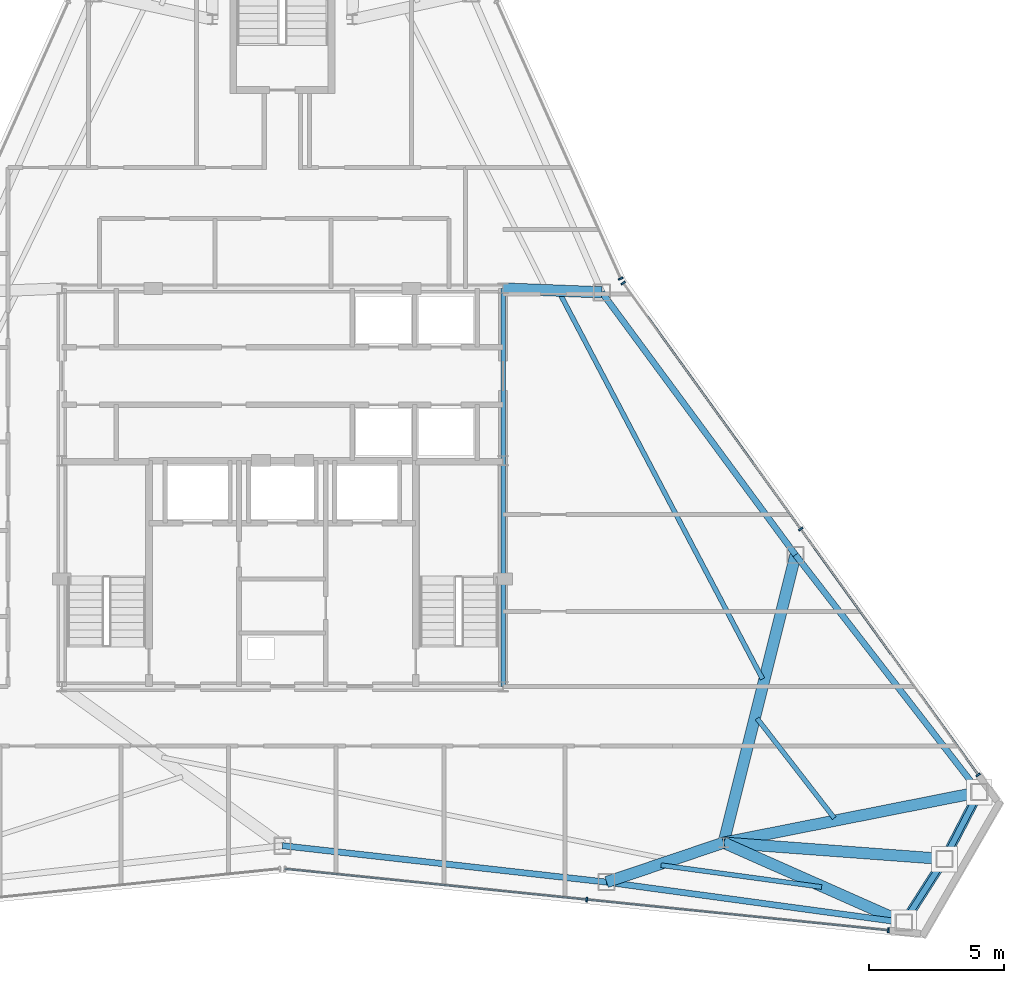
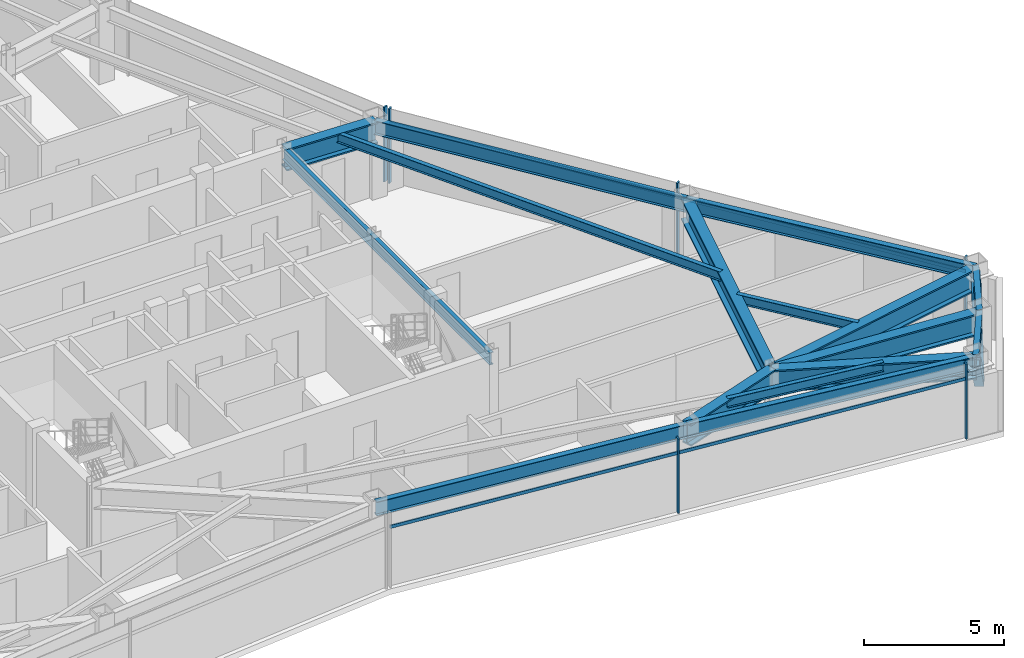
# One storey, part 6 of 12: 16 beams, 10 members, 3 elements without a shape of their own.
"""IFC4 building model written with IfcOpenShell, lengths in metres."""

from ifc_helpers import new_model, si_unit, direction, frame, origin, origin_2d, place, context, subcontext, project, spatial, rectangle, hollow_rectangle, i_section, extrude, source, transform, mapped, material, layer, layer_set, material_profile, profile_set, type_object, type_shapes, element, aggregate, save


model = new_model("IFC4")

# Units and contexts
model_context = context("Model", 3, precision=1e-05, world=origin(), true_north=direction((0.0, 1.0)))
body_context = subcontext(model_context, "Body", "Model", "MODEL_VIEW")
ifc_project = project(units=[si_unit("LENGTHUNIT", "METRE"), si_unit("AREAUNIT", "SQUARE_METRE"), si_unit("VOLUMEUNIT", "CUBIC_METRE"), si_unit("PLANEANGLEUNIT", "RADIAN"), si_unit("MASSUNIT", "GRAM", prefix="KILO")], contexts=[model_context])

# Site, building, storey
site_placement = place(None, origin())
site = spatial("IfcSite", under=ifc_project, at=site_placement, CompositionType="ELEMENT")
building_placement = place(site_placement, origin())
building = spatial("IfcBuilding", under=site, at=building_placement, Name="Varakhsha Concourse Tower", CompositionType="ELEMENT")
storey_placement = place(building_placement, frame((0.0, 0.0, 258.5)))
storey = spatial("IfcBuildingStorey", under=building, at=storey_placement, Name="L73", CompositionType="ELEMENT", Elevation=258.5)

# Beams
ifc_material_1 = material(Name="Structural Steel ASTM A992 Grade 50", Category="steel")
ifc_material_profile_1 = material_profile(ifc_material_1, i_section(OverallWidth=0.177978515625, OverallDepth=0.406982421875, WebThickness=0.008056640625, FlangeThickness=0.012939453125, at=origin_2d()), Name="W16X40")
ifc_profile_set_1 = profile_set([ifc_material_profile_1], Name="Structural Steel ASTM A992 Grade 50")
beam_type_1 = type_object("IfcBeamType", Name="BM-JST-W16X40", PredefinedType="JOIST", material=ifc_profile_set_1)
beam_1_placement = place(storey_placement, frame((54.072998046875, 9.76416015625, 3.04638671875), z_axis=(0.990864658208, -0.134860035274, 0.0), x_axis=(0.134860035274, 0.990864658208, 0.0)))
element("IfcBeam", 1, at=beam_1_placement, inside=storey, type_object=beam_type_1, Name="BM-TJST-L73-12", PredefinedType="JOIST", context=body_context, shape_type="SweptSolid", body=[
    extrude(i_section(OverallWidth=0.177978515625, OverallDepth=0.406982421875, WebThickness=0.008056640625, FlangeThickness=0.012939453125, at=origin_2d()), origin(), (0.0, 0.0, 1.0), 6.024658203125),
])
beam_2_placement = place(storey_placement, frame((60.5126953125, 11.51416015625, 3.04638671875), z_axis=(-0.612247787834, 0.79066595114, 0.0), x_axis=(-0.79066595114, -0.612247787834, 0.0)))
element("IfcBeam", 2, at=beam_2_placement, inside=storey, type_object=beam_type_1, Name="BM-TJST-L73-15", PredefinedType="JOIST", context=body_context, shape_type="SweptSolid", body=[
    extrude(i_section(OverallWidth=0.177978515625, OverallDepth=0.406982421875, WebThickness=0.008056640625, FlangeThickness=0.012939453125, at=origin_2d()), origin(), (0.0, 0.0, 1.0), 4.6865234375),
])
beam_3_placement = place(storey_placement, frame((57.845703125, 16.687744140625, 3.04638671875), z_axis=(-0.465391617433, 0.88510487651, 0.0), x_axis=(-0.88510487651, -0.465391617433, 0.0)))
element("IfcBeam", 3, at=beam_3_placement, inside=storey, type_object=beam_type_1, Name="BM-TJST-L73-16", PredefinedType="JOIST", context=body_context, shape_type="SweptSolid", body=[
    extrude(i_section(OverallWidth=0.177978515625, OverallDepth=0.406982421875, WebThickness=0.008056640625, FlangeThickness=0.012939453125, at=origin_2d()), origin(), (0.0, 0.0, 1.0), 16.194580078125),
])
ifc_material_profile_2 = material_profile(ifc_material_1, i_section(OverallWidth=0.423095703125, OverallDepth=0.947998046875, WebThickness=0.0380859375, FlangeThickness=0.06396484375, at=origin_2d()), Name="W36X302")
ifc_profile_set_2 = profile_set([ifc_material_profile_2], Name="Structural Steel ASTM A992 Grade 50")
beam_type_2 = type_object("IfcBeamType", Name="BM-OUTR-W36X302", PredefinedType="USERDEFINED", material=ifc_profile_set_2)
beam_4_placement = place(storey_placement, frame((56.39990234375, 10.60009765625, 2.77587890625), z_axis=(-0.947603418082, -0.319449154075, 0.0), x_axis=(0.319449154075, -0.947603418082, 0.0)))
element("IfcBeam", 4, at=beam_4_placement, inside=storey, type_object=beam_type_2, Name="L73 Radial Floor Girder 12", ObjectType="GIRDER", PredefinedType="USERDEFINED", context=body_context, shape_type="SweptSolid", body=[
    extrude(i_section(OverallWidth=0.423095703125, OverallDepth=0.947998046875, WebThickness=0.0380859375, FlangeThickness=0.06396484375, at=origin_2d()), origin(), (0.0, 0.0, 1.0), 4.590087890625),
])
beam_5_placement = place(storey_placement, frame((56.39990234375, 10.60009765625, 2.77587890625), z_axis=(0.914187563748, -0.405291374556, 0.0), x_axis=(0.405291374556, 0.914187563748, 0.0)))
element("IfcBeam", 5, at=beam_5_placement, inside=storey, type_object=beam_type_2, Name="L73 Radial Floor Girder 13", ObjectType="GIRDER", PredefinedType="USERDEFINED", context=body_context, shape_type="SweptSolid", body=[
    extrude(i_section(OverallWidth=0.423095703125, OverallDepth=0.947998046875, WebThickness=0.0380859375, FlangeThickness=0.06396484375, at=origin_2d()), origin(), (0.0, 0.0, 1.0), 7.32861328125),
])
beam_6_placement = place(storey_placement, frame((56.39990234375, 10.60009765625, 2.77587890625), z_axis=(0.997263302263, -0.073931765569, 0.0), x_axis=(0.073931765569, 0.997263302263, 0.0)))
element("IfcBeam", 6, at=beam_6_placement, inside=storey, type_object=beam_type_2, Name="L73 Radial Floor Girder 14", ObjectType="GIRDER", PredefinedType="USERDEFINED", context=body_context, shape_type="SweptSolid", body=[
    extrude(i_section(OverallWidth=0.423095703125, OverallDepth=0.947998046875, WebThickness=0.0380859375, FlangeThickness=0.06396484375, at=origin_2d()), origin(), (0.0, 0.0, 1.0), 8.232421875),
])
beam_7_placement = place(storey_placement, frame((56.39990234375, 10.60009765625, 2.77587890625), z_axis=(0.980978125566, 0.194118307125, 0.0), x_axis=(-0.194118307125, 0.980978125566, 0.0)))
element("IfcBeam", 7, at=beam_7_placement, inside=storey, type_object=beam_type_2, Name="L73 Radial Floor Girder 15", ObjectType="GIRDER", PredefinedType="USERDEFINED", context=body_context, shape_type="SweptSolid", body=[
    extrude(i_section(OverallWidth=0.423095703125, OverallDepth=0.947998046875, WebThickness=0.0380859375, FlangeThickness=0.06396484375, at=origin_2d()), origin(), (0.0, 0.0, 1.0), 9.684326171875),
])
beam_8_placement = place(storey_placement, frame((56.39990234375, 10.60009765625, 2.77587890625), z_axis=(0.242410585861, 0.970173751378, 0.0), x_axis=(-0.970173751378, 0.242410585861, 0.0)))
element("IfcBeam", 8, at=beam_8_placement, inside=storey, type_object=beam_type_2, Name="L73 Radial Floor Girder 16", ObjectType="GIRDER", PredefinedType="USERDEFINED", context=body_context, shape_type="SweptSolid", body=[
    extrude(i_section(OverallWidth=0.423095703125, OverallDepth=0.947998046875, WebThickness=0.0380859375, FlangeThickness=0.06396484375, at=origin_2d()), origin(), (0.0, 0.0, 1.0), 11.026123046875),
])
beam_9_placement = place(storey_placement, frame((48.199951171875, 31.199951171875, 2.77587890625), z_axis=(0.999229859365, -0.039238860258, 0.0), x_axis=(0.039238860258, 0.999229859365, 0.0)))
element("IfcBeam", 9, at=beam_9_placement, inside=storey, type_object=beam_type_2, Name="L73 Radial Floor Girder 17", ObjectType="GIRDER", PredefinedType="USERDEFINED", context=body_context, shape_type="SweptSolid", body=[
    extrude(i_section(OverallWidth=0.423095703125, OverallDepth=0.947998046875, WebThickness=0.0380859375, FlangeThickness=0.06396484375, at=origin_2d()), origin(), (0.0, 0.0, 1.0), 3.67724609375),
])
ifc_material_profile_3 = material_profile(ifc_material_1, i_section(OverallWidth=0.1669921875, OverallDepth=0.534912109375, WebThickness=0.010009765625, FlangeThickness=0.01708984375, at=origin_2d()), Name="W21X57")
ifc_profile_set_3 = profile_set([ifc_material_profile_3], Name="Structural Steel ASTM A992 Grade 50")
beam_type_3 = type_object("IfcBeamType", Name="BM-RAD-W21X57", PredefinedType="BEAM", material=ifc_profile_set_3)
beam_10_placement = place(storey_placement, frame((48.199951171875, 16.39990234375, 2.982421875), z_axis=(0.0, 1.0, 0.0), x_axis=(-1.0, 0.0, 0.0)))
element("IfcBeam", 10, at=beam_10_placement, inside=storey, type_object=beam_type_3, Name="BM-TCORE-L73-CE", PredefinedType="BEAM", context=body_context, shape_type="SweptSolid", body=[
    extrude(i_section(OverallWidth=0.1669921875, OverallDepth=0.534912109375, WebThickness=0.010009765625, FlangeThickness=0.01708984375, at=origin_2d()), origin(), (0.0, 0.0, 1.0), 14.800048828125),
])
ifc_material_profile_4 = material_profile(ifc_material_1, i_section(OverallWidth=0.22900390625, OverallDepth=0.612060546875, WebThickness=0.011962890625, FlangeThickness=0.02001953125, at=origin_2d()), Name="W24X84")
ifc_profile_set_4 = profile_set([ifc_material_profile_4], Name="Structural Steel ASTM A992 Grade 50")
beam_type_4 = type_object("IfcBeamType", Name="BM-SPAN-W24X84", PredefinedType="SPANDREL", material=ifc_profile_set_4)
beam_11_placement = place(storey_placement, frame((40.0, 10.48876953125, 2.944091796875), z_axis=(0.993737521425, -0.11173960136, 0.0), x_axis=(0.11173960136, 0.993737521425, 0.0)))
element("IfcBeam", 11, at=beam_11_placement, inside=storey, type_object=beam_type_4, Name="BM-SPAN-L73-11", PredefinedType="SPANDREL", context=body_context, shape_type="SweptSolid", body=[
    extrude(i_section(OverallWidth=0.22900390625, OverallDepth=0.612060546875, WebThickness=0.011962890625, FlangeThickness=0.02001953125, at=origin_2d()), origin(), (0.0, 0.0, 1.0), 12.126220703125),
])
beam_12_placement = place(storey_placement, frame((52.05029296875, 9.1337890625, 2.944091796875), z_axis=(0.990863976686, -0.134865042565, 0.0), x_axis=(0.134865042565, 0.990863976686, 0.0)))
element("IfcBeam", 12, at=beam_12_placement, inside=storey, type_object=beam_type_4, Name="BM-SPAN-L73-12", PredefinedType="SPANDREL", context=body_context, shape_type="SweptSolid", body=[
    extrude(i_section(OverallWidth=0.22900390625, OverallDepth=0.612060546875, WebThickness=0.011962890625, FlangeThickness=0.02001953125, at=origin_2d()), origin(), (0.0, 0.0, 1.0), 11.151123046875),
])
beam_13_placement = place(storey_placement, frame((63.099609375, 7.6298828125, 2.944091796875), z_axis=(0.538762033455, 0.842457993794, 0.0), x_axis=(-0.842457993794, 0.538762033455, 0.0)))
element("IfcBeam", 13, at=beam_13_placement, inside=storey, type_object=beam_type_4, Name="BM-SPAN-L73-13", PredefinedType="SPANDREL", context=body_context, shape_type="SweptSolid", body=[
    extrude(i_section(OverallWidth=0.22900390625, OverallDepth=0.612060546875, WebThickness=0.011962890625, FlangeThickness=0.02001953125, at=origin_2d()), origin(), (0.0, 0.0, 1.0), 2.80322265625),
])
beam_14_placement = place(storey_placement, frame((64.60986328125, 9.991455078125, 2.944091796875), z_axis=(0.460230722474, 0.887799347877, 0.0), x_axis=(-0.887799347877, 0.460230722474, 0.0)))
element("IfcBeam", 14, at=beam_14_placement, inside=storey, type_object=beam_type_4, Name="BM-SPAN-L73-14", PredefinedType="SPANDREL", context=body_context, shape_type="SweptSolid", body=[
    extrude(i_section(OverallWidth=0.22900390625, OverallDepth=0.612060546875, WebThickness=0.011962890625, FlangeThickness=0.02001953125, at=origin_2d()), origin(), (0.0, 0.0, 1.0), 2.802978515625),
])
beam_15_placement = place(storey_placement, frame((65.89990234375, 12.47998046875, 2.944091796875), z_axis=(-0.612217348488, 0.790689520741, 0.0), x_axis=(-0.790689520741, -0.612217348488, 0.0)))
element("IfcBeam", 15, at=beam_15_placement, inside=storey, type_object=beam_type_4, Name="BM-SPAN-L73-15", PredefinedType="SPANDREL", context=body_context, shape_type="SweptSolid", body=[
    extrude(i_section(OverallWidth=0.22900390625, OverallDepth=0.612060546875, WebThickness=0.011962890625, FlangeThickness=0.02001953125, at=origin_2d()), origin(), (0.0, 0.0, 1.0), 11.151611328125),
])
beam_16_placement = place(storey_placement, frame((59.07275390625, 21.29736328125, 2.944091796875), z_axis=(-0.593635055484, 0.804734379097, 0.0), x_axis=(-0.804734379097, -0.593635055484, 0.0)))
element("IfcBeam", 16, at=beam_16_placement, inside=storey, type_object=beam_type_4, Name="BM-SPAN-L73-16", PredefinedType="SPANDREL", context=body_context, shape_type="SweptSolid", body=[
    extrude(i_section(OverallWidth=0.22900390625, OverallDepth=0.612060546875, WebThickness=0.011962890625, FlangeThickness=0.02001953125, at=origin_2d()), origin(), (0.0, 0.0, 1.0), 12.126220703125),
])

# Members
ifc_material_2 = material(Name="Structural Steel ASTM A500 Grade C", Category="steel")
ifc_material_profile_5 = material_profile(ifc_material_2, hollow_rectangle(XDim=0.35009765625, YDim=0.35009765625, WallThickness=0.01611328125, at=origin_2d()), Name="HSS 350x350x16")
ifc_profile_set_5 = profile_set([ifc_material_profile_5], Name="Structural Steel ASTM A500 Grade C")
member_type_1 = type_object("IfcMemberType", Name="MB-TUBE-HSS350", PredefinedType="BRACE", material=ifc_profile_set_5)
shared_shape_1 = source(origin(), body_context, "Body", "SweptSolid", [
    extrude(hollow_rectangle(XDim=0.35009765625, YDim=0.35009765625, WallThickness=0.01611328125, at=origin_2d()), origin(), (0.0, 0.0, 1.0), 3.983154296875),
])
type_shapes(member_type_1, [shared_shape_1])
for number, where, z_axis, x_axis, name in (
    (17, (64.60986328125, 9.991455078125, 0.1201171875), (-0.37915630707, -0.592883763061, 0.710443057752), (0.842457993794, -0.538762033455, 0.0), "L73 Wind-Corner Tube Brace B05"),
    (18, (64.60986328125, 9.991455078125, 0.1201171875), (0.323879843478, 0.624774270359, 0.710463903436), (-0.887799347877, 0.460230722474, 0.0), "L73 Wind-Corner Tube Brace B06"),
):
    element("IfcMember", number, at=place(storey_placement, frame(where, z_axis=z_axis, x_axis=x_axis)), inside=storey, type_object=member_type_1, Name=name, PredefinedType="BRACE", context=body_context, shape_type="MappedRepresentation", body=[
        mapped(shared_shape_1, transform((0.0, 0.0, 0.0), scale=1.0)),
    ])

# Curtain wall, members
ifc_material_3 = material(Name="Anodised Bronze Architectural Aluminium AA 6063-T6", Category="aluminium")
ifc_layer = layer(ifc_material_3, 0.199951171875, Name="CW-SYS-05")
ifc_layer_set = layer_set([ifc_layer], Name="Anodised Bronze Architectural Aluminium AA 6063-T6")
curtain_wall_type = type_object("IfcCurtainWallType", Name="CW-SYS-05", PredefinedType="NOTDEFINED", material=ifc_layer_set)
curtain_wall_1_placement = place(storey_placement, origin())
curtain_wall_1 = element("IfcCurtainWall", 19, at=curtain_wall_1_placement, inside=storey, type_object=curtain_wall_type, Name="L73 Crystal Curtain Wall F6", PredefinedType="NOTDEFINED")
ifc_material_profile_6 = material_profile(ifc_material_3, rectangle(XDim=0.06494140625, YDim=0.179931640625, at=origin_2d()), Name="CWM-180X65")
ifc_profile_set_6 = profile_set([ifc_material_profile_6], Name="Anodised Bronze Architectural Aluminium AA 6063-T6")
member_type_2 = type_object("IfcMemberType", Name="CWM-180X65", PredefinedType="MULLION", material=ifc_profile_set_6)
shared_shape_2 = source(origin(), body_context, "Body", "SweptSolid", [
    extrude(rectangle(XDim=0.06494140625, YDim=0.179931640625, at=origin_2d()), origin(), (0.0, 0.0, 1.0), 3.25),
])
type_shapes(member_type_2, [shared_shape_2])
member_1_placement = place(storey_placement, frame((62.525390625, 7.343017578125, 0.0), z_axis=(0.0, 0.0, 1.0), x_axis=(-0.994852272933, 0.101335852689, 0.0)))
member_1 = element("IfcMember", 20, at=member_1_placement, type_object=member_type_2, Name="CW-L73-F6 Mullion 00", PredefinedType="MULLION", context=body_context, shape_type="MappedRepresentation", body=[
    mapped(shared_shape_2, transform((0.0, 0.0, 0.0), scale=1.0)),
])
member_2_placement = place(storey_placement, frame((51.310546875, 8.485595703125, 0.0), z_axis=(0.0, 0.0, 1.0), x_axis=(-0.994852272933, 0.101335852689, 0.0)))
member_2 = element("IfcMember", 21, at=member_2_placement, type_object=member_type_2, Name="CW-L73-F6 Mullion 01", PredefinedType="MULLION", context=body_context, shape_type="MappedRepresentation", body=[
    mapped(shared_shape_2, transform((0.0, 0.0, 0.0), scale=1.0)),
])

curtain_wall_2_placement = place(storey_placement, origin())
curtain_wall_2 = element("IfcCurtainWall", 22, at=curtain_wall_2_placement, inside=storey, type_object=curtain_wall_type, Name="L73 Crystal Curtain Wall F8", PredefinedType="NOTDEFINED")
member_3_placement = place(storey_placement, frame((52.667724609375, 31.403076171875, 0.0), z_axis=(0.0, 0.0, 1.0), x_axis=(0.585188389778, -0.81089737234, 0.0)))
member_3 = element("IfcMember", 23, at=member_3_placement, type_object=member_type_2, Name="CW-L73-F8 Mullion 00", PredefinedType="MULLION", context=body_context, shape_type="MappedRepresentation", body=[
    mapped(shared_shape_2, transform((0.0, 0.0, 0.0), scale=1.0)),
])
member_4_placement = place(storey_placement, frame((59.2646484375, 22.261962890625, 0.0), z_axis=(0.0, 0.0, 1.0), x_axis=(0.585188389778, -0.81089737234, 0.0)))
member_4 = element("IfcMember", 24, at=member_4_placement, type_object=member_type_2, Name="CW-L73-F8 Mullion 01", PredefinedType="MULLION", context=body_context, shape_type="MappedRepresentation", body=[
    mapped(shared_shape_2, transform((0.0, 0.0, 0.0), scale=1.0)),
])
member_5_placement = place(storey_placement, frame((65.861328125, 13.120849609375, 0.0), z_axis=(0.0, 0.0, 1.0), x_axis=(0.585188389778, -0.81089737234, 0.0)))
member_5 = element("IfcMember", 25, at=member_5_placement, type_object=member_type_2, Name="CW-L73-F8 Mullion 02", PredefinedType="MULLION", context=body_context, shape_type="MappedRepresentation", body=[
    mapped(shared_shape_2, transform((0.0, 0.0, 0.0), scale=1.0)),
])

# Curtain wall, member
curtain_wall_3_placement = place(storey_placement, origin())
curtain_wall_3 = element("IfcCurtainWall", 26, at=curtain_wall_3_placement, inside=storey, type_object=curtain_wall_type, Name="L73 Crystal Curtain Wall F9", PredefinedType="NOTDEFINED")
member_6_placement = place(storey_placement, frame((52.572021484375, 31.569091796875, 0.0), z_axis=(0.0, 0.0, 1.0), x_axis=(0.409661937266, -0.912237412714, 0.0)))
member_6 = element("IfcMember", 27, at=member_6_placement, type_object=member_type_2, Name="CW-L73-F9 Mullion 02", PredefinedType="MULLION", context=body_context, shape_type="MappedRepresentation", body=[
    mapped(shared_shape_2, transform((0.0, 0.0, 0.0), scale=1.0)),
])
aggregate(curtain_wall_3, [member_6])

# Member
ifc_material_profile_7 = material_profile(ifc_material_3, rectangle(XDim=0.06005859375, YDim=0.139892578125, at=origin_2d()), Name="CWT-140X60")
ifc_profile_set_7 = profile_set([ifc_material_profile_7], Name="Anodised Bronze Architectural Aluminium AA 6063-T6")
member_type_3 = type_object("IfcMemberType", Name="CWT-140X60", PredefinedType="USERDEFINED", material=ifc_profile_set_7)
shared_shape_3 = source(origin(), body_context, "Body", "SweptSolid", [
    extrude(rectangle(XDim=0.06005859375, YDim=0.139892578125, at=origin_2d()), origin(), (0.0, 0.0, 1.0), 22.545654296875),
])
type_shapes(member_type_3, [shared_shape_3])
member_7_placement = place(storey_placement, frame((62.525390625, 7.343017578125, 2.60009765625), z_axis=(-0.994852382543, 0.1013347766, 0.0), x_axis=(-0.1013347766, -0.994852382543, 0.0)))
member_7 = element("IfcMember", 28, at=member_7_placement, type_object=member_type_3, Name="CW-L73-F6 Transom 01", ObjectType="TRANSOM", PredefinedType="USERDEFINED", context=body_context, shape_type="MappedRepresentation", body=[
    mapped(shared_shape_3, transform((0.0, 0.0, 0.0), scale=1.0)),
])

aggregate(curtain_wall_1, [member_1, member_2, member_7])

member_8_placement = place(storey_placement, frame((52.667724609375, 31.403076171875, 2.60009765625), z_axis=(0.585192407215, -0.810894473121, 0.0), x_axis=(0.810894473121, 0.585192407215, 0.0)))
member_8 = element("IfcMember", 29, at=member_8_placement, type_object=member_type_3, Name="CW-L73-F8 Transom 01", ObjectType="TRANSOM", PredefinedType="USERDEFINED", context=body_context, shape_type="MappedRepresentation", body=[
    mapped(shared_shape_3, transform((0.0, 0.0, 0.0), scale=1.0)),
])

aggregate(curtain_wall_2, [member_3, member_4, member_5, member_8])

save(model, "model.ifc")
